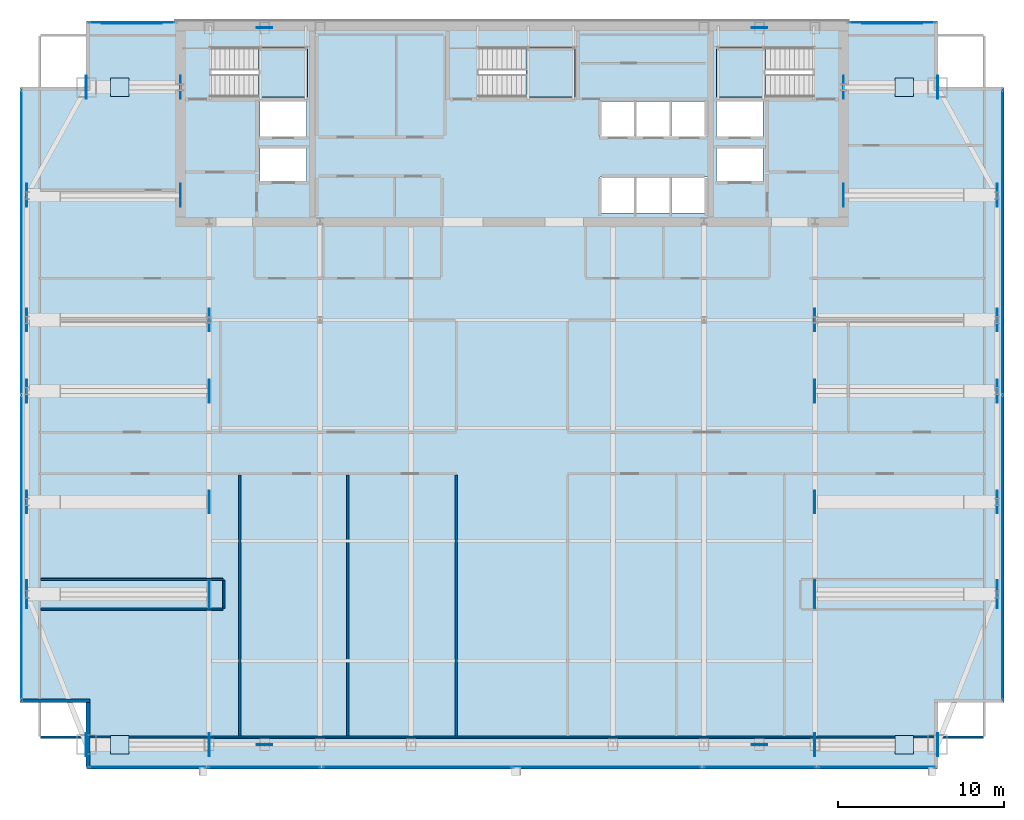
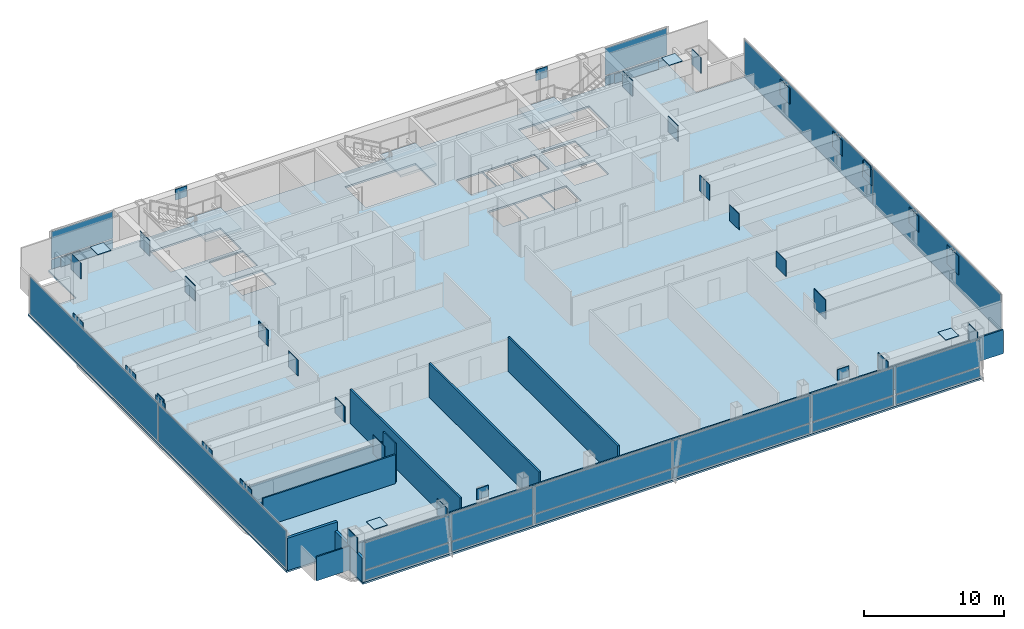
# One storey, part 20 of 26: 60 plates, 9 walls, 4 slabs, 12 elements without a shape of their own.
"""IFC4 building model written with IfcOpenShell, lengths in metres."""

from ifc_helpers import new_model, si_unit, direction, frame, frame_2d, origin, origin_2d, place, context, subcontext, project, spatial, polyline, rectangle, outline, extrude, material, layer, layer_set, type_object, element, aggregate, save


model = new_model("IFC4")

# Units and contexts
model_context = context("Model", 3, precision=1e-05, world=origin(), true_north=direction((0.0, 1.0)))
body_context = subcontext(model_context, "Body", "Model", "MODEL_VIEW")
ifc_project = project(units=[si_unit("LENGTHUNIT", "METRE"), si_unit("AREAUNIT", "SQUARE_METRE"), si_unit("VOLUMEUNIT", "CUBIC_METRE"), si_unit("PLANEANGLEUNIT", "RADIAN"), si_unit("MASSUNIT", "GRAM", prefix="KILO")], contexts=[model_context])

# Site, building, storey
site_placement = place(None, origin())
site = spatial("IfcSite", under=ifc_project, at=site_placement, CompositionType="ELEMENT")
building_placement = place(site_placement, origin())
building = spatial("IfcBuilding", under=site, at=building_placement, Name="Khoronbel Lancet Exchange", CompositionType="ELEMENT")
storey_placement = place(building_placement, frame((0.0, 0.0, 235.39990234375)))
storey = spatial("IfcBuildingStorey", under=building, at=storey_placement, Name="L60", CompositionType="ELEMENT", Elevation=235.39990234375)

# Curtain wall, plates
ifc_material_1 = material(Name="Low-E Solar Control Insulating Glass", Category="glass")
curtain_wall_type_1 = type_object("IfcCurtainWallType", Name="CW-4", PredefinedType="NOTDEFINED", material=ifc_material_1)
curtain_wall_1_placement = place(storey_placement, origin())
curtain_wall_1 = element("IfcCurtainWall", 1, at=curtain_wall_1_placement, inside=storey, type_object=curtain_wall_type_1, Name="Unitised curtain wall CW-L60-E03", PredefinedType="NOTDEFINED")
ifc_material_2 = material(Name="Bronze-Anodised Aluminium 6063-T6", Category="aluminium")
ifc_layer_1 = layer(ifc_material_2, 0.050048828125, Name="Bronze-Anodised Aluminium 6063-T6")
ifc_layer_set_1 = layer_set([ifc_layer_1], Name="Bronze-Anodised Aluminium 6063-T6")
plate_type_1 = type_object("IfcPlateType", Name="PLT-CSP1", PredefinedType="SHEET", material=ifc_layer_set_1)
plate_1_placement = place(storey_placement, frame((6.93994140625, 22.013671875, 0.085205078125), z_axis=(0.0, 0.0, 1.0), x_axis=(0.0, 1.0, 0.0)))
plate_1 = element("IfcPlate", 2, at=plate_1_placement, type_object=plate_type_1, Name="CW4 panel 1.1", PredefinedType="CURTAIN_PANEL", context=body_context, shape_type="SweptSolid", body=[
    extrude(rectangle(XDim=18.297607421875, YDim=0.0380859375, at=origin_2d()), origin(), (0.0, 0.0, 1.0), 3.27001953125),
])
plate_2_placement = place(storey_placement, frame((6.93994140625, 40.38623046875, 0.085205078125), z_axis=(0.0, 0.0, 1.0), x_axis=(0.0, 1.0, 0.0)))
plate_2 = element("IfcPlate", 3, at=plate_2_placement, type_object=plate_type_1, Name="CW4 panel 2.1", PredefinedType="CURTAIN_PANEL", context=body_context, shape_type="SweptSolid", body=[
    extrude(rectangle(XDim=18.297607421875, YDim=0.0380859375, at=origin_2d()), origin(), (0.0, 0.0, 1.0), 3.27001953125),
])
aggregate(curtain_wall_1, [plate_1, plate_2])

# Curtain wall, plate
curtain_wall_type_2 = type_object("IfcCurtainWallType", Name="CW-3", PredefinedType="NOTDEFINED", material=ifc_material_1)
curtain_wall_2_placement = place(storey_placement, origin())
curtain_wall_2 = element("IfcCurtainWall", 4, at=curtain_wall_2_placement, inside=storey, type_object=curtain_wall_type_2, Name="Unitised curtain wall CW-L60-NWFLK", PredefinedType="NOTDEFINED")
plate_3_placement = place(storey_placement, frame((13.580078125, 53.550048828125, 0.05029296875), z_axis=(0.0, 0.0, 1.0), x_axis=(-1.0, 0.0, 0.0)))
plate_3 = element("IfcPlate", 5, at=plate_3_placement, type_object=plate_type_1, Name="Insulated bronze spandrel cassette CW-L60-NWFLK", PredefinedType="SHEET", context=body_context, shape_type="SweptSolid", body=[
    extrude(rectangle(XDim=3.60009765625, YDim=0.050048828125, at=origin_2d()), origin(), (0.0, 0.0, 1.0), 0.800048828125),
])

curtain_wall_3_placement = place(storey_placement, origin())
curtain_wall_3 = element("IfcCurtainWall", 6, at=curtain_wall_3_placement, inside=storey, type_object=curtain_wall_type_2, Name="Unitised curtain wall CW-L60-NEFLK", PredefinedType="NOTDEFINED")
plate_4_placement = place(storey_placement, frame((59.320068359375, 53.550048828125, 0.05029296875), z_axis=(0.0, 0.0, 1.0), x_axis=(-1.0, 0.0, 0.0)))
plate_4 = element("IfcPlate", 7, at=plate_4_placement, type_object=plate_type_1, Name="Insulated bronze spandrel cassette CW-L60-NEFLK", PredefinedType="SHEET", context=body_context, shape_type="SweptSolid", body=[
    extrude(rectangle(XDim=3.60009765625, YDim=0.050048828125, at=origin_2d()), origin(), (0.0, 0.0, 1.0), 0.800048828125),
])

# Curtain wall, plates
curtain_wall_4_placement = place(storey_placement, origin())
curtain_wall_4 = element("IfcCurtainWall", 8, at=curtain_wall_4_placement, inside=storey, type_object=curtain_wall_type_1, Name="Unitised curtain wall CW-L60-E09", PredefinedType="NOTDEFINED")
plate_5_placement = place(storey_placement, frame((65.9599609375, 40.38623046875, 0.085205078125), z_axis=(0.0, 0.0, 1.0), x_axis=(0.0, -1.0, 0.0)))
plate_5 = element("IfcPlate", 9, at=plate_5_placement, type_object=plate_type_1, Name="CW4 panel 1.1", PredefinedType="CURTAIN_PANEL", context=body_context, shape_type="SweptSolid", body=[
    extrude(rectangle(XDim=18.297607421875, YDim=0.0380859375, at=origin_2d()), origin(), (0.0, 0.0, 1.0), 3.27001953125),
])
plate_6_placement = place(storey_placement, frame((65.9599609375, 22.013671875, 0.085205078125), z_axis=(0.0, 0.0, 1.0), x_axis=(0.0, -1.0, 0.0)))
plate_6 = element("IfcPlate", 10, at=plate_6_placement, type_object=plate_type_1, Name="CW4 panel 2.1", PredefinedType="CURTAIN_PANEL", context=body_context, shape_type="SweptSolid", body=[
    extrude(rectangle(XDim=18.297607421875, YDim=0.0380859375, at=origin_2d()), origin(), (0.0, 0.0, 1.0), 3.27001953125),
])
aggregate(curtain_wall_4, [plate_5, plate_6])

curtain_wall_5_placement = place(storey_placement, origin())
curtain_wall_5 = element("IfcCurtainWall", 11, at=curtain_wall_5_placement, inside=storey, type_object=curtain_wall_type_2, Name="Unitised curtain wall CW-L60-SWB", PredefinedType="NOTDEFINED")
plate_7_placement = place(storey_placement, frame((21.550048828125, 8.7900390625, 0.0849609375), z_axis=(0.0, 0.0, 1.0), x_axis=(1.0, 0.0, 0.0)))
plate_7 = element("IfcPlate", 12, at=plate_7_placement, type_object=plate_type_1, Name="CW3 panel 1.1", PredefinedType="CURTAIN_PANEL", context=body_context, shape_type="SweptSolid", body=[
    extrude(rectangle(XDim=6.72998046875, YDim=0.0380859375, at=origin_2d()), origin(), (0.0, 0.0, 1.0), 0.822509765625),
])
plate_8_placement = place(storey_placement, frame((21.550048828125, 8.7900390625, 0.99267578125), z_axis=(0.0, 0.0, 1.0), x_axis=(1.0, 0.0, 0.0)))
plate_8 = element("IfcPlate", 13, at=plate_8_placement, type_object=plate_type_1, Name="CW3 panel 1.2", PredefinedType="CURTAIN_PANEL", context=body_context, shape_type="SweptSolid", body=[
    extrude(rectangle(XDim=6.72998046875, YDim=0.0380859375, at=origin_2d()), origin(), (0.0, 0.0, 1.0), 2.362548828125),
])
aggregate(curtain_wall_5, [plate_7, plate_8])

curtain_wall_6_placement = place(storey_placement, origin())
curtain_wall_6 = element("IfcCurtainWall", 14, at=curtain_wall_6_placement, inside=storey, type_object=curtain_wall_type_2, Name="Unitised curtain wall CW-L60-SEB", PredefinedType="NOTDEFINED")
plate_9_placement = place(storey_placement, frame((51.35009765625, 8.7900390625, 0.0849609375), z_axis=(0.0, 0.0, 1.0), x_axis=(1.0, 0.0, 0.0)))
plate_9 = element("IfcPlate", 15, at=plate_9_placement, type_object=plate_type_1, Name="CW3 panel 1.1", PredefinedType="CURTAIN_PANEL", context=body_context, shape_type="SweptSolid", body=[
    extrude(rectangle(XDim=6.72998046875, YDim=0.0380859375, at=origin_2d()), origin(), (0.0, 0.0, 1.0), 0.822509765625),
])
plate_10_placement = place(storey_placement, frame((51.35009765625, 8.7900390625, 0.99267578125), z_axis=(0.0, 0.0, 1.0), x_axis=(1.0, 0.0, 0.0)))
plate_10 = element("IfcPlate", 16, at=plate_10_placement, type_object=plate_type_1, Name="CW3 panel 1.2", PredefinedType="CURTAIN_PANEL", context=body_context, shape_type="SweptSolid", body=[
    extrude(rectangle(XDim=6.72998046875, YDim=0.0380859375, at=origin_2d()), origin(), (0.0, 0.0, 1.0), 2.362548828125),
])
aggregate(curtain_wall_6, [plate_9, plate_10])

# Plate
ifc_layer_2 = layer(ifc_material_1, 0.035888671875, Name="Low-E Solar Control Insulating Glass")
ifc_layer_set_2 = layer_set([ifc_layer_2], Name="Low-E Solar Control Insulating Glass")
plate_type_2 = type_object("IfcPlateType", Name="PLT-CWP1", PredefinedType="CURTAIN_PANEL", material=ifc_layer_set_2)
plate_11_placement = place(storey_placement, frame((13.580078125, 53.610107421875, 0.0849609375), z_axis=(0.0, 0.0, 1.0), x_axis=(-1.0, 0.0, 0.0)))
plate_11 = element("IfcPlate", 17, at=plate_11_placement, type_object=plate_type_2, Name="CW3 panel 1.1", PredefinedType="CURTAIN_PANEL", context=body_context, shape_type="SweptSolid", body=[
    extrude(rectangle(XDim=5.110107421875, YDim=0.0380859375, at=origin_2d()), origin(), (0.0, 0.0, 1.0), 0.822509765625),
])

plate_12_placement = place(storey_placement, frame((13.580078125, 53.610107421875, 0.99267578125), z_axis=(0.0, 0.0, 1.0), x_axis=(-1.0, 0.0, 0.0)))
plate_12 = element("IfcPlate", 18, at=plate_12_placement, type_object=plate_type_2, Name="CW3 panel 1.2", PredefinedType="CURTAIN_PANEL", context=body_context, shape_type="SweptSolid", body=[
    extrude(rectangle(XDim=5.110107421875, YDim=0.0380859375, at=origin_2d()), origin(), (0.0, 0.0, 1.0), 2.362548828125),
])

aggregate(curtain_wall_2, [plate_11, plate_12, plate_3])

plate_13_placement = place(storey_placement, frame((59.320068359375, 53.610107421875, 0.0849609375), z_axis=(0.0, 0.0, 1.0), x_axis=(-1.0, 0.0, 0.0)))
plate_13 = element("IfcPlate", 19, at=plate_13_placement, type_object=plate_type_2, Name="CW3 panel 1.1", PredefinedType="CURTAIN_PANEL", context=body_context, shape_type="SweptSolid", body=[
    extrude(rectangle(XDim=5.110107421875, YDim=0.0380859375, at=origin_2d()), origin(), (0.0, 0.0, 1.0), 0.822509765625),
])

plate_14_placement = place(storey_placement, frame((59.320068359375, 53.610107421875, 0.99267578125), z_axis=(0.0, 0.0, 1.0), x_axis=(-1.0, 0.0, 0.0)))
plate_14 = element("IfcPlate", 20, at=plate_14_placement, type_object=plate_type_2, Name="CW3 panel 1.2", PredefinedType="CURTAIN_PANEL", context=body_context, shape_type="SweptSolid", body=[
    extrude(rectangle(XDim=5.110107421875, YDim=0.0380859375, at=origin_2d()), origin(), (0.0, 0.0, 1.0), 2.362548828125),
])

aggregate(curtain_wall_3, [plate_13, plate_14, plate_4])

# Curtain wall, plates
curtain_wall_7_placement = place(storey_placement, origin())
curtain_wall_7 = element("IfcCurtainWall", 21, at=curtain_wall_7_placement, inside=storey, type_object=curtain_wall_type_2, Name="Unitised curtain wall CW-L60-SWV", PredefinedType="NOTDEFINED")
plate_15_placement = place(storey_placement, frame((14.52001953125, 8.7900390625, 0.0849609375), z_axis=(0.0, 0.0, 1.0), x_axis=(1.0, 0.0, 0.0)))
plate_15 = element("IfcPlate", 22, at=plate_15_placement, type_object=plate_type_2, Name="CW3 panel 1.1", PredefinedType="CURTAIN_PANEL", context=body_context, shape_type="SweptSolid", body=[
    extrude(rectangle(XDim=6.989990234375, YDim=0.0380859375, at=origin_2d()), origin(), (0.0, 0.0, 1.0), 0.822509765625),
])
plate_16_placement = place(storey_placement, frame((14.52001953125, 8.7900390625, 0.99267578125), z_axis=(0.0, 0.0, 1.0), x_axis=(1.0, 0.0, 0.0)))
plate_16 = element("IfcPlate", 23, at=plate_16_placement, type_object=plate_type_2, Name="CW3 panel 1.2", PredefinedType="CURTAIN_PANEL", context=body_context, shape_type="SweptSolid", body=[
    extrude(rectangle(XDim=6.989990234375, YDim=0.0380859375, at=origin_2d()), origin(), (0.0, 0.0, 1.0), 2.362548828125),
])
aggregate(curtain_wall_7, [plate_15, plate_16])

curtain_wall_8_placement = place(storey_placement, origin())
curtain_wall_8 = element("IfcCurtainWall", 24, at=curtain_wall_8_placement, inside=storey, type_object=curtain_wall_type_2, Name="Unitised curtain wall CW-L60-SCV", PredefinedType="NOTDEFINED")
plate_17_placement = place(storey_placement, frame((30.746337890625, 8.7900390625, 0.0849609375), z_axis=(0.0, 0.0, 1.0), x_axis=(1.0, 0.0, 0.0)))
plate_17 = element("IfcPlate", 25, at=plate_17_placement, type_object=plate_type_2, Name="CW3 panel 1.1", PredefinedType="CURTAIN_PANEL", context=body_context, shape_type="SweptSolid", body=[
    extrude(rectangle(XDim=11.322509765625, YDim=0.0380859375, at=origin_2d()), origin(), (0.0, 0.0, 1.0), 0.822509765625),
])
plate_18_placement = place(storey_placement, frame((30.746337890625, 8.7900390625, 0.99267578125), z_axis=(0.0, 0.0, 1.0), x_axis=(1.0, 0.0, 0.0)))
plate_18 = element("IfcPlate", 26, at=plate_18_placement, type_object=plate_type_2, Name="CW3 panel 1.2", PredefinedType="CURTAIN_PANEL", context=body_context, shape_type="SweptSolid", body=[
    extrude(rectangle(XDim=11.322509765625, YDim=0.0380859375, at=origin_2d()), origin(), (0.0, 0.0, 1.0), 2.362548828125),
])
plate_19_placement = place(storey_placement, frame((42.15380859375, 8.7900390625, 0.0849609375), z_axis=(0.0, 0.0, 1.0), x_axis=(1.0, 0.0, 0.0)))
plate_19 = element("IfcPlate", 27, at=plate_19_placement, type_object=plate_type_2, Name="CW3 panel 2.1", PredefinedType="CURTAIN_PANEL", context=body_context, shape_type="SweptSolid", body=[
    extrude(rectangle(XDim=11.322509765625, YDim=0.0380859375, at=origin_2d()), origin(), (0.0, 0.0, 1.0), 0.822509765625),
])
plate_20_placement = place(storey_placement, frame((42.15380859375, 8.7900390625, 0.99267578125), z_axis=(0.0, 0.0, 1.0), x_axis=(1.0, 0.0, 0.0)))
plate_20 = element("IfcPlate", 28, at=plate_20_placement, type_object=plate_type_2, Name="CW3 panel 2.2", PredefinedType="CURTAIN_PANEL", context=body_context, shape_type="SweptSolid", body=[
    extrude(rectangle(XDim=11.322509765625, YDim=0.0380859375, at=origin_2d()), origin(), (0.0, 0.0, 1.0), 2.362548828125),
])
aggregate(curtain_wall_8, [plate_17, plate_18, plate_19, plate_20])

curtain_wall_9_placement = place(storey_placement, origin())
curtain_wall_9 = element("IfcCurtainWall", 29, at=curtain_wall_9_placement, inside=storey, type_object=curtain_wall_type_2, Name="Unitised curtain wall CW-L60-SEV", PredefinedType="NOTDEFINED")
plate_21_placement = place(storey_placement, frame((58.3798828125, 8.7900390625, 0.0849609375), z_axis=(0.0, 0.0, 1.0), x_axis=(1.0, 0.0, 0.0)))
plate_21 = element("IfcPlate", 30, at=plate_21_placement, type_object=plate_type_2, Name="CW3 panel 1.1", PredefinedType="CURTAIN_PANEL", context=body_context, shape_type="SweptSolid", body=[
    extrude(rectangle(XDim=6.989990234375, YDim=0.0380859375, at=origin_2d()), origin(), (0.0, 0.0, 1.0), 0.822509765625),
])
plate_22_placement = place(storey_placement, frame((58.3798828125, 8.7900390625, 0.99267578125), z_axis=(0.0, 0.0, 1.0), x_axis=(1.0, 0.0, 0.0)))
plate_22 = element("IfcPlate", 31, at=plate_22_placement, type_object=plate_type_2, Name="CW3 panel 1.2", PredefinedType="CURTAIN_PANEL", context=body_context, shape_type="SweptSolid", body=[
    extrude(rectangle(XDim=6.989990234375, YDim=0.0380859375, at=origin_2d()), origin(), (0.0, 0.0, 1.0), 2.362548828125),
])
aggregate(curtain_wall_9, [plate_21, plate_22])

# Plates
ifc_material_3 = material(Name="Steel S460", Category="steel")
ifc_layer_3 = layer(ifc_material_3, 0.044921875, Name="Steel S460")
ifc_layer_set_3 = layer_set([ifc_layer_3], Name="Steel S460")
plate_type_3 = type_object("IfcPlateType", Name="PLT-ECP1", PredefinedType="USERDEFINED", material=ifc_layer_set_3)
for number, where, z_axis, x_axis, name in (
    (32, (10.840087890625, 10.14990234375, 2.090087890625), (0.0, 0.0, 1.0), (-1.0, 0.0, 0.0), "Hollow end cap plate PLT-CAP-BM-L60-ZTG-MC-SW-0"),
    (33, (18.235107421875, 10.14990234375, 2.090087890625), (0.0, 0.0, 1.0), (1.0, 0.0, 0.0), "Hollow end cap plate PLT-CAP-BM-L60-ZTG-MC-SW-1"),
    (34, (54.6650390625, 10.14990234375, 2.090087890625), (0.0, 0.0, 1.0), (-1.0, 0.0, 0.0), "Hollow end cap plate PLT-CAP-BM-L60-ZTG-MC-SE-0"),
    (35, (62.06005859375, 10.14990234375, 2.090087890625), (0.0, 0.0, 1.0), (1.0, 0.0, 0.0), "Hollow end cap plate PLT-CAP-BM-L60-ZTG-MC-SE-1"),
    (36, (10.840087890625, 49.699951171875, 2.090087890625), (0.0, 0.0, 1.0), (-1.0, 0.0, 0.0), "Hollow end cap plate PLT-CAP-BM-L60-ZTG-MC-NW-0"),
    (37, (16.510009765625, 49.699951171875, 2.090087890625), (0.0, 0.0, 1.0), (1.0, 0.0, 0.0), "Hollow end cap plate PLT-CAP-BM-L60-ZTG-MC-NW-1"),
    (38, (56.389892578125, 49.699951171875, 2.090087890625), (0.0, 0.0, 1.0), (-1.0, 0.0, 0.0), "Hollow end cap plate PLT-CAP-BM-L60-ZTG-MC-NE-0"),
    (39, (62.06005859375, 49.699951171875, 2.090087890625), (0.0, 0.0, 1.0), (1.0, 0.0, 0.0), "Hollow end cap plate PLT-CAP-BM-L60-ZTG-MC-NE-1"),
):
    element("IfcPlate", number, at=place(storey_placement, frame(where, z_axis=z_axis, x_axis=x_axis)), inside=storey, type_object=plate_type_3, Name=name, ObjectType="STIFFENER_PLATE", PredefinedType="USERDEFINED", context=body_context, shape_type="SweptSolid", body=[
        extrude(rectangle(XDim=0.044921875, YDim=1.3798828125, at=origin_2d()), origin(), (0.0, 0.0, 1.0), 1.3798828125),
    ])
for number, where, z_axis, x_axis, name in (
    (40, (7.260009765625, 19.199951171875, 1.81005859375), (0.0, 0.0, 1.0), (-1.0, 0.0, 0.0), "Hollow end cap plate PLT-CAP-BM-L60-ZTG-LW1-0"),
    (41, (18.235107421875, 19.199951171875, 1.81005859375), (0.0, 0.0, 1.0), (1.0, 0.0, 0.0), "Hollow end cap plate PLT-CAP-BM-L60-ZTG-LW1-1"),
    (42, (54.6650390625, 19.199951171875, 1.81005859375), (0.0, 0.0, 1.0), (-1.0, 0.0, 0.0), "Hollow end cap plate PLT-CAP-BM-L60-ZTG-LE1-0"),
    (43, (65.639892578125, 19.199951171875, 1.81005859375), (0.0, 0.0, 1.0), (1.0, 0.0, 0.0), "Hollow end cap plate PLT-CAP-BM-L60-ZTG-LE1-1"),
):
    element("IfcPlate", number, at=place(storey_placement, frame(where, z_axis=z_axis, x_axis=x_axis)), inside=storey, type_object=plate_type_3, Name=name, ObjectType="STIFFENER_PLATE", PredefinedType="USERDEFINED", context=body_context, shape_type="SweptSolid", body=[
        extrude(rectangle(XDim=0.044921875, YDim=1.659912109375, at=origin_2d()), origin(), (0.0, 0.0, 1.0), 1.659912109375),
    ])
for number, where, z_axis, x_axis, name in (
    (44, (7.260009765625, 24.75, 2.090087890625), (0.0, 0.0, 1.0), (-1.0, 0.0, 0.0), "Hollow end cap plate PLT-CAP-BM-L60-ZTG-LW2-0"),
    (45, (18.235107421875, 24.75, 2.090087890625), (0.0, 0.0, 1.0), (1.0, 0.0, 0.0), "Hollow end cap plate PLT-CAP-BM-L60-ZTG-LW2-1"),
    (46, (54.6650390625, 24.75, 2.090087890625), (0.0, 0.0, 1.0), (-1.0, 0.0, 0.0), "Hollow end cap plate PLT-CAP-BM-L60-ZTG-LE2-0"),
    (47, (65.639892578125, 24.75, 2.090087890625), (0.0, 0.0, 1.0), (1.0, 0.0, 0.0), "Hollow end cap plate PLT-CAP-BM-L60-ZTG-LE2-1"),
    (48, (7.260009765625, 31.425048828125, 2.090087890625), (0.0, 0.0, 1.0), (-1.0, 0.0, 0.0), "Hollow end cap plate PLT-CAP-BM-L60-ZTG-LW3-0"),
    (49, (18.235107421875, 31.425048828125, 2.090087890625), (0.0, 0.0, 1.0), (1.0, 0.0, 0.0), "Hollow end cap plate PLT-CAP-BM-L60-ZTG-LW3-1"),
    (50, (54.6650390625, 31.425048828125, 2.090087890625), (0.0, 0.0, 1.0), (-1.0, 0.0, 0.0), "Hollow end cap plate PLT-CAP-BM-L60-ZTG-LE3-0"),
    (51, (65.639892578125, 31.425048828125, 2.090087890625), (0.0, 0.0, 1.0), (1.0, 0.0, 0.0), "Hollow end cap plate PLT-CAP-BM-L60-ZTG-LE3-1"),
    (52, (7.260009765625, 35.699951171875, 2.090087890625), (0.0, 0.0, 1.0), (-1.0, 0.0, 0.0), "Hollow end cap plate PLT-CAP-BM-L60-ZTG-LW4-0"),
    (53, (18.235107421875, 35.699951171875, 2.090087890625), (0.0, 0.0, 1.0), (1.0, 0.0, 0.0), "Hollow end cap plate PLT-CAP-BM-L60-ZTG-LW4-1"),
    (54, (54.6650390625, 35.699951171875, 2.090087890625), (0.0, 0.0, 1.0), (-1.0, 0.0, 0.0), "Hollow end cap plate PLT-CAP-BM-L60-ZTG-LE4-0"),
    (55, (65.639892578125, 35.699951171875, 2.090087890625), (0.0, 0.0, 1.0), (1.0, 0.0, 0.0), "Hollow end cap plate PLT-CAP-BM-L60-ZTG-LE4-1"),
    (56, (7.260009765625, 43.199951171875, 2.090087890625), (0.0, 0.0, 1.0), (-1.0, 0.0, 0.0), "Hollow end cap plate PLT-CAP-BM-L60-ZTG-LW5-0"),
    (57, (16.510009765625, 43.199951171875, 2.090087890625), (0.0, 0.0, 1.0), (1.0, 0.0, 0.0), "Hollow end cap plate PLT-CAP-BM-L60-ZTG-LW5-1"),
    (58, (56.389892578125, 43.199951171875, 2.090087890625), (0.0, 0.0, 1.0), (-1.0, 0.0, 0.0), "Hollow end cap plate PLT-CAP-BM-L60-ZTG-LE5-0"),
    (59, (65.639892578125, 43.199951171875, 2.090087890625), (0.0, 0.0, 1.0), (1.0, 0.0, 0.0), "Hollow end cap plate PLT-CAP-BM-L60-ZTG-LE5-1"),
):
    element("IfcPlate", number, at=place(storey_placement, frame(where, z_axis=z_axis, x_axis=x_axis)), inside=storey, type_object=plate_type_3, Name=name, ObjectType="STIFFENER_PLATE", PredefinedType="USERDEFINED", context=body_context, shape_type="SweptSolid", body=[
        extrude(rectangle(XDim=0.044921875, YDim=1.3798828125, at=origin_2d()), origin(), (0.0, 0.0, 1.0), 1.3798828125),
    ])
plate_23_placement = place(storey_placement, frame((0.0, 0.0, 3.567138671875)))
element("IfcPlate", 60, at=plate_23_placement, inside=storey, type_object=plate_type_3, Name="Hollow end cap plate PLT-CAP-COL-L61-MC-SW-BOT", ObjectType="STIFFENER_PLATE", PredefinedType="USERDEFINED", context=body_context, shape_type="SweptSolid", body=[
    extrude(outline(polyline([(12.294921875, 9.594970703125), (13.405029296875, 9.594970703125), (13.405029296875, 10.705078125), (12.294921875, 10.705078125), (12.294921875, 9.594970703125)])), origin(), (0.0, 0.0, 1.0), 0.044921875),
])
plate_24_placement = place(storey_placement, frame((0.0, 0.0, 3.567138671875)))
element("IfcPlate", 61, at=plate_24_placement, inside=storey, type_object=plate_type_3, Name="Hollow end cap plate PLT-CAP-COL-L61-MC-SE-BOT", ObjectType="STIFFENER_PLATE", PredefinedType="USERDEFINED", context=body_context, shape_type="SweptSolid", body=[
    extrude(outline(polyline([(59.4951171875, 9.594970703125), (60.60498046875, 9.594970703125), (60.60498046875, 10.705078125), (59.4951171875, 10.705078125), (59.4951171875, 9.594970703125)])), origin(), (0.0, 0.0, 1.0), 0.044921875),
])
plate_25_placement = place(storey_placement, frame((0.0, 0.0, 3.567138671875)))
element("IfcPlate", 62, at=plate_25_placement, inside=storey, type_object=plate_type_3, Name="Hollow end cap plate PLT-CAP-COL-L61-MC-NE-BOT", ObjectType="STIFFENER_PLATE", PredefinedType="USERDEFINED", context=body_context, shape_type="SweptSolid", body=[
    extrude(outline(polyline([(59.4951171875, 49.14501953125), (60.60498046875, 49.14501953125), (60.60498046875, 50.2548828125), (59.4951171875, 50.2548828125), (59.4951171875, 49.14501953125)])), origin(), (0.0, 0.0, 1.0), 0.044921875),
])
plate_26_placement = place(storey_placement, frame((0.0, 0.0, 3.567138671875)))
element("IfcPlate", 63, at=plate_26_placement, inside=storey, type_object=plate_type_3, Name="Hollow end cap plate PLT-CAP-COL-L61-MC-NW-BOT", ObjectType="STIFFENER_PLATE", PredefinedType="USERDEFINED", context=body_context, shape_type="SweptSolid", body=[
    extrude(outline(polyline([(12.294921875, 49.14501953125), (13.405029296875, 49.14501953125), (13.405029296875, 50.2548828125), (12.294921875, 50.2548828125), (12.294921875, 49.14501953125)])), origin(), (0.0, 0.0, 1.0), 0.044921875),
])
ifc_layer_4 = layer(ifc_material_3, 0.06005859375, Name="Steel S460")
ifc_layer_set_4 = layer_set([ifc_layer_4], Name="Steel S460")
plate_type_4 = type_object("IfcPlateType", Name="PLT-ND3", PredefinedType="USERDEFINED", material=ifc_layer_set_4)
for number, where, z_axis, x_axis, name in (
    (64, (21.5625, 10.14990234375, 2.77490234375), (0.0, 0.0, 1.0), (1.0, 0.0, 0.0), "ND3 perimeter brace node gusset T20-S-W"),
    (65, (51.33740234375, 10.14990234375, 2.77490234375), (0.0, 0.0, 1.0), (1.0, 0.0, 0.0), "ND3 perimeter brace node gusset T20-S-E"),
    (66, (21.5625, 53.280029296875, 2.77490234375), (0.0, 0.0, 1.0), (1.0, 0.0, 0.0), "ND3 perimeter brace node gusset T20-N-W"),
    (67, (51.33740234375, 53.280029296875, 2.77490234375), (0.0, 0.0, 1.0), (1.0, 0.0, 0.0), "ND3 perimeter brace node gusset T20-N-E"),
    (68, (7.27001953125, 31.425048828125, 2.77490234375), (0.0, 0.0, 1.0), (0.0, 1.0, 0.0), "ND3 perimeter brace node gusset T20-W-P"),
    (69, (65.6298828125, 31.425048828125, 2.77490234375), (0.0, 0.0, 1.0), (0.0, 1.0, 0.0), "ND3 perimeter brace node gusset T20-E-P"),
):
    element("IfcPlate", number, at=place(storey_placement, frame(where, z_axis=z_axis, x_axis=x_axis)), inside=storey, type_object=plate_type_4, Name=name, ObjectType="GUSSET_PLATE", PredefinedType="USERDEFINED", context=body_context, shape_type="SweptSolid", body=[
        extrude(rectangle(XDim=0.949951171875, YDim=0.06005859375, at=origin_2d()), origin(), (0.0, 0.0, 1.0), 0.949951171875),
    ])

# Slab
ifc_material_4 = material(Name="Concrete C40/50", Category="concrete")
ifc_layer_5 = layer(ifc_material_4, 0.159912109375, Name="Concrete C40/50")
ifc_layer_set_5 = layer_set([ifc_layer_5], Name="Concrete C40/50")
slab_type_1 = type_object("IfcSlabType", Name="SL-FL160", PredefinedType="FLOOR", material=ifc_layer_set_5)
slab_1_placement = place(storey_placement, frame((0.0, 0.0, -0.159912109375)))
element("IfcSlab", 70, at=slab_1_placement, inside=storey, type_object=slab_type_1, Name="Level L60 composite structural floor slab", PredefinedType="FLOOR", context=body_context, shape_type="SweptSolid", body=[
    extrude(outline(polyline([(10.85009765625, 8.699951171875), (62.050048828125, 8.699951171875), (62.050048828125, 12.699951171875), (66.050048828125, 12.699951171875), (66.050048828125, 16.699951171875), (66.050048828125, 45.699951171875), (66.050048828125, 49.699951171875), (62.050048828125, 49.699951171875), (62.050048828125, 53.699951171875), (10.85009765625, 53.699951171875), (10.85009765625, 49.699951171875), (6.85009765625, 49.699951171875), (6.85009765625, 45.699951171875), (6.85009765625, 16.699951171875), (6.85009765625, 12.699951171875), (10.85009765625, 12.699951171875), (10.85009765625, 8.699951171875)]), holes=[polyline([(18.324951171875, 49.1201171875), (24.14990234375, 49.1201171875), (24.14990234375, 52.10009765625), (18.324951171875, 52.10009765625), (18.324951171875, 49.1201171875)]), polyline([(48.75, 49.1201171875), (54.574951171875, 49.1201171875), (54.574951171875, 52.10009765625), (48.75, 52.10009765625), (48.75, 49.1201171875)]), polyline([(34.425048828125, 49.1201171875), (40.25, 49.1201171875), (40.25, 52.10009765625), (34.425048828125, 52.10009765625), (34.425048828125, 49.1201171875)]), polyline([(41.739990234375, 46.75), (43.8798828125, 46.75), (43.8798828125, 48.85009765625), (41.739990234375, 48.85009765625), (41.739990234375, 46.75)]), polyline([(43.89990234375, 46.75), (46.0400390625, 46.75), (46.0400390625, 48.85009765625), (43.89990234375, 48.85009765625), (43.89990234375, 46.75)]), polyline([(46.06005859375, 46.75), (48.199951171875, 46.75), (48.199951171875, 48.85009765625), (46.06005859375, 48.85009765625), (46.06005859375, 46.75)]), polyline([(41.739990234375, 42.14990234375), (43.8798828125, 42.14990234375), (43.8798828125, 44.300048828125), (41.739990234375, 44.300048828125), (41.739990234375, 42.14990234375)]), polyline([(43.89990234375, 42.14990234375), (46.0400390625, 42.14990234375), (46.0400390625, 44.300048828125), (43.89990234375, 44.300048828125), (43.89990234375, 42.14990234375)]), polyline([(46.06005859375, 42.14990234375), (48.199951171875, 42.14990234375), (48.199951171875, 44.300048828125), (46.06005859375, 44.300048828125), (46.06005859375, 42.14990234375)]), polyline([(21.300048828125, 46.75), (24.10009765625, 46.75), (24.10009765625, 48.85009765625), (21.300048828125, 48.85009765625), (21.300048828125, 46.75)]), polyline([(48.75, 46.75), (51.550048828125, 46.75), (51.550048828125, 48.85009765625), (48.75, 48.85009765625), (48.75, 46.75)]), polyline([(21.300048828125, 44.050048828125), (24.10009765625, 44.050048828125), (24.10009765625, 46.050048828125), (21.300048828125, 46.050048828125), (21.300048828125, 44.050048828125)]), polyline([(48.75, 44.050048828125), (51.550048828125, 44.050048828125), (51.550048828125, 46.050048828125), (48.75, 46.050048828125), (48.75, 44.050048828125)])]), origin(), (0.0, 0.0, 1.0), 0.159912109375),
])

# Stair, slab
stair_type = type_object("IfcStairType", Name="STR-CORE150", PredefinedType="HALF_TURN_STAIR", material=ifc_material_4)
stair_1_placement = place(storey_placement, origin())
stair_1 = element("IfcStair", 71, at=stair_1_placement, inside=storey, type_object=stair_type, Name="L60 Protected Exit Stair ST1", PredefinedType="HALF_TURN_STAIR")
ifc_layer_6 = layer(ifc_material_4, 0.199951171875, Name="Concrete C40/50")
ifc_layer_set_6 = layer_set([ifc_layer_6], Name="Concrete C40/50")
slab_type_2 = type_object("IfcSlabType", Name="SL-LND180", PredefinedType="LANDING", material=ifc_layer_set_6)
slab_2_placement = place(storey_placement, frame((0.0, 0.0, 1.60009765625)))
slab_2 = element("IfcSlab", 72, at=slab_2_placement, type_object=slab_type_2, Name="ST1 landing 1", PredefinedType="LANDING", context=body_context, shape_type="SweptSolid", body=[
    extrude(outline(polyline([(21.199951171875, 49.1201171875), (24.14990234375, 49.1201171875), (24.14990234375, 52.10009765625), (21.199951171875, 52.10009765625), (21.199951171875, 49.1201171875)])), origin(), (0.0, 0.0, 1.0), 0.199951171875),
])
aggregate(stair_1, [slab_2])

stair_2_placement = place(storey_placement, origin())
stair_2 = element("IfcStair", 73, at=stair_2_placement, inside=storey, type_object=stair_type, Name="L60 Protected Exit Stair ST2", PredefinedType="HALF_TURN_STAIR")
slab_3_placement = place(storey_placement, frame((0.0, 0.0, 1.60009765625)))
slab_3 = element("IfcSlab", 74, at=slab_3_placement, type_object=slab_type_2, Name="ST2 landing 1", PredefinedType="LANDING", context=body_context, shape_type="SweptSolid", body=[
    extrude(outline(polyline([(51.699951171875, 52.10009765625), (48.75, 52.10009765625), (48.75, 49.1201171875), (51.699951171875, 49.1201171875), (51.699951171875, 52.10009765625)])), origin(), (0.0, 0.0, 1.0), 0.199951171875),
])
aggregate(stair_2, [slab_3])

stair_3_placement = place(storey_placement, origin())
stair_3 = element("IfcStair", 75, at=stair_3_placement, inside=storey, type_object=stair_type, Name="L60 Protected Exit Stair ST3", PredefinedType="HALF_TURN_STAIR")
slab_4_placement = place(storey_placement, frame((0.0, 0.0, 1.60009765625)))
slab_4 = element("IfcSlab", 76, at=slab_4_placement, type_object=slab_type_2, Name="ST3 landing 1", PredefinedType="LANDING", context=body_context, shape_type="SweptSolid", body=[
    extrude(outline(polyline([(37.300048828125, 49.1201171875), (40.25, 49.1201171875), (40.25, 52.10009765625), (37.300048828125, 52.10009765625), (37.300048828125, 49.1201171875)])), origin(), (0.0, 0.0, 1.0), 0.199951171875),
])
aggregate(stair_3, [slab_4])

# Walls
ifc_material_5 = material(Name="Precast concrete C40/50", Category="concrete")
ifc_layer_7 = layer(ifc_material_5, 0.25, Name="Precast concrete C40/50")
ifc_layer_set_7 = layer_set([ifc_layer_7], Name="Precast concrete C40/50")
wall_type_1 = type_object("IfcWallType", Name="WL-EXT250", PredefinedType="SOLIDWALL", material=ifc_layer_set_7)
wall_1_placement = place(storey_placement, frame((10.93994140625, 8.77001953125, 0.0), z_axis=(0.0, 0.0, 1.0), x_axis=(0.0, 1.0, 0.0)))
element("IfcWall", 77, at=wall_1_placement, inside=storey, type_object=wall_type_1, Name="Level L60 notched-corner limestone pier 01", PredefinedType="SOLIDWALL", context=body_context, shape_type="SweptSolid", body=[
    extrude(rectangle(XDim=3.909912109375, YDim=0.219970703125, at=frame_2d((1.955078125, 0.0))), origin(), (0.0, 0.0, 1.0), 2.090087890625),
])
wall_2_placement = place(storey_placement, frame((11.050048828125, 12.7900390625, 0.0), z_axis=(0.0, 0.0, 1.0), x_axis=(-1.0, 0.0, 0.0)))
element("IfcWall", 78, at=wall_2_placement, inside=storey, type_object=wall_type_1, Name="Level L60 notched-corner limestone pier 02", PredefinedType="SOLIDWALL", context=body_context, shape_type="SweptSolid", body=[
    extrude(rectangle(XDim=4.130126953125, YDim=0.219970703125, at=frame_2d((2.06494140625, 0.0))), origin(), (0.0, 0.0, 1.0), 2.830078125),
])
ifc_material_6 = material(Name="Acoustic Metal-Stud & Mineral-Wool Gypsum Partition 120 mm", Category="gypsum")
ifc_layer_8 = layer(ifc_material_6, 0.1201171875, Name="Acoustic Metal-Stud & Mineral-Wool Gypsum Partition 120 mm")
ifc_layer_set_8 = layer_set([ifc_layer_8], Name="Acoustic Metal-Stud & Mineral-Wool Gypsum Partition 120 mm")
wall_type_2 = type_object("IfcWallType", Name="WL-PRT120", PredefinedType="PARTITIONING", material=ifc_layer_set_8)
wall_3_placement = place(storey_placement, frame((8.094970703125, 10.60009765625, 0.0), z_axis=(0.0, 0.0, 1.0), x_axis=(1.0, 0.0, 0.0)))
element("IfcWall", 79, at=wall_3_placement, inside=storey, type_object=wall_type_2, Name="Level L60 interior partition PW-LIN-S", PredefinedType="PARTITIONING", context=body_context, shape_type="SweptSolid", body=[
    extrude(rectangle(XDim=56.7099609375, YDim=0.1201171875, at=frame_2d((28.35498046875, 0.0))), origin(), (0.0, 0.0, 1.0), 2.090087890625),
])
for number, where, z_axis, x_axis, name in (
    (80, (8.094970703125, 18.300048828125, 0.0), (0.0, 0.0, 1.0), (1.0, 0.0, 0.0), "Level L60 interior partition PW-BLK-WS"),
    (81, (8.094970703125, 20.10009765625, 0.0), (0.0, 0.0, 1.0), (1.0, 0.0, 0.0), "Level L60 interior partition PW-BLK-WN"),
):
    element("IfcWall", number, at=place(storey_placement, frame(where, z_axis=z_axis, x_axis=x_axis)), inside=storey, type_object=wall_type_2, Name=name, PredefinedType="PARTITIONING", context=body_context, shape_type="SweptSolid", body=[
        extrude(rectangle(XDim=10.9599609375, YDim=0.1201171875, at=frame_2d((5.47998046875, 0.0))), origin(), (0.0, 0.0, 1.0), 2.530029296875),
    ])
wall_4_placement = place(storey_placement, frame((19.1201171875, 18.364990234375, 0.0), z_axis=(0.0, 0.0, 1.0), x_axis=(0.0, 1.0, 0.0)))
element("IfcWall", 82, at=wall_4_placement, inside=storey, type_object=wall_type_2, Name="Level L60 interior partition PW-BLK-WE", PredefinedType="PARTITIONING", context=body_context, shape_type="SweptSolid", body=[
    extrude(rectangle(XDim=1.669921875, YDim=0.1201171875, at=frame_2d((0.8349609375, 0.0))), origin(), (0.0, 0.0, 1.0), 3.440185546875),
])
ifc_material_7 = material(Name="Fire-Rated Twin-Stud Acoustic Gypsum Partition 150 mm", Category="gypsum")
ifc_layer_9 = layer(ifc_material_7, 0.14990234375, Name="Fire-Rated Twin-Stud Acoustic Gypsum Partition 150 mm")
ifc_layer_set_9 = layer_set([ifc_layer_9], Name="Fire-Rated Twin-Stud Acoustic Gypsum Partition 150 mm")
wall_type_3 = type_object("IfcWallType", Name="WL-PRT150C", PredefinedType="PARTITIONING", material=ifc_layer_set_9)
for number, where, z_axis, x_axis, name in (
    (83, (33.10009765625, 10.6650390625, 0.0), (0.0, 0.0, 1.0), (0.0, 1.0, 0.0), "Level L60 interior partition PW-Z3-CW1"),
    (84, (20.063720703125, 10.6650390625, 0.0), (0.0, 0.0, 1.0), (0.0, 1.0, 0.0), "Level L60 interior partition PW-Z3SW-V1"),
    (85, (26.581787109375, 10.6650390625, 0.0), (0.0, 0.0, 1.0), (0.0, 1.0, 0.0), "Level L60 interior partition PW-Z3SW-V2"),
):
    element("IfcWall", number, at=place(storey_placement, frame(where, z_axis=z_axis, x_axis=x_axis)), inside=storey, type_object=wall_type_3, Name=name, PredefinedType="PARTITIONING", context=body_context, shape_type="SweptSolid", body=[
        extrude(rectangle(XDim=15.699951171875, YDim=0.14990234375, at=frame_2d((7.85009765625, 0.0))), origin(), (0.0, 0.0, 1.0), 2.97998046875),
    ])

save(model, "model.ifc")
